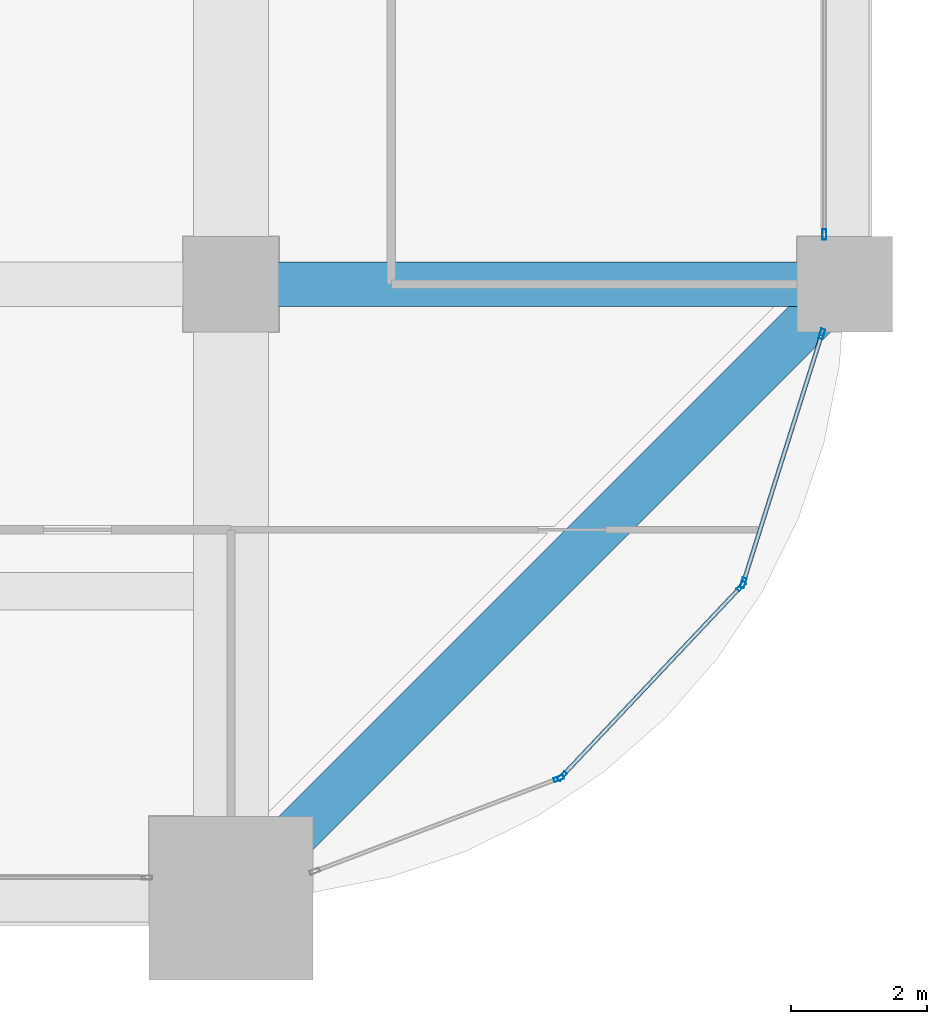
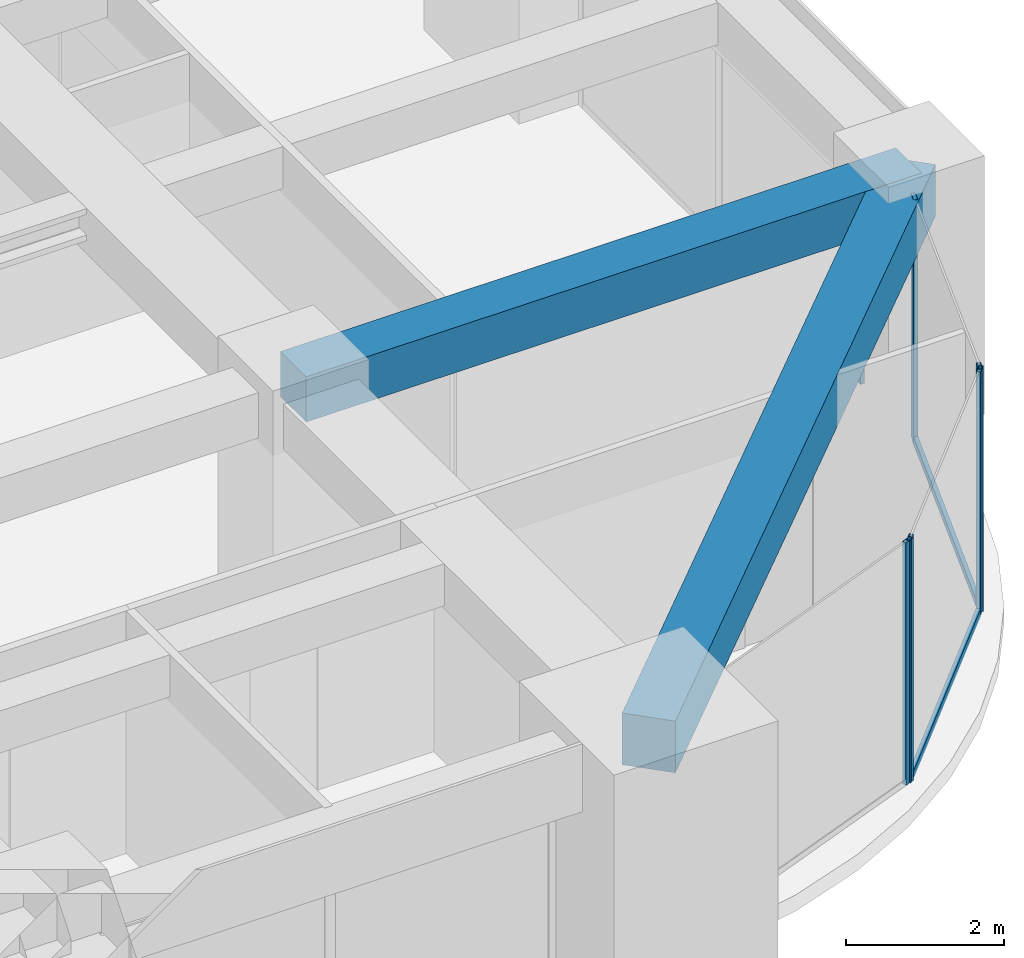
# One storey, part 16 of 33: 8 members, 2 beams, 4 elements without a shape of their own.
"""IFC4 building model written with IfcOpenShell, lengths in metres."""

import ifcopenshell
import ifcopenshell.guid

model = None  # the IFC model being written
_history = None  # IfcOwnerHistory: only IFC2X3 demands one
_inside = {}  # id of a spatial element -> (the spatial element, [elements in it])
_under = {}  # id of a project, library or spatial element -> (it, [spatial elements below it])
_declared = {}  # id of a project -> (the project, [libraries it declares])
_typed = {}  # id of a type object -> (the type object, [elements of that type])
_made_of = {}  # id of a material, layer set ... -> (it, [elements and type objects made of it])


def new_model(schema):
    """Start an empty IFC model of exactly this schema.

    Asked for "IFC4X3", IfcOpenShell would pick the latest addendum, in which some entities
    have other attributes; the version numbers below select the first issue.
    IFC2X3 requires an IfcOwnerHistory on every rooted entity: one is made here for all.
    """
    global model, _history
    if schema == "IFC4X3":
        model = ifcopenshell.file(schema_version=(4, 3, 0, 0))
    else:
        model = ifcopenshell.file(schema=schema)
    _inside.clear()
    _under.clear()
    _declared.clear()
    _typed.clear()
    _made_of.clear()
    _history = None
    if model.schema == "IFC2X3":
        org = make("IfcOrganization", Name="unknown")
        user = make(
            "IfcPersonAndOrganization",
            ThePerson=make("IfcPerson", FamilyName="unknown"),
            TheOrganization=org,
        )
        app = make(
            "IfcApplication",
            ApplicationDeveloper=org,
            Version="unknown",
            ApplicationFullName="unknown",
            ApplicationIdentifier="unknown",
        )
        _history = make(
            "IfcOwnerHistory",
            OwningUser=user,
            OwningApplication=app,
            ChangeAction="ADDED",
            CreationDate=0,
        )
    return model


def make(cls, **values):
    """One entity of the class cls with the attributes given. An attribute that is None is left unset."""
    return model.create_entity(
        cls, **{name: value for name, value in values.items() if value is not None}
    )


def rooted(cls, **values):
    """An entity with a GlobalId (a new one), such as an element, a storey or a relation."""
    return make(cls, GlobalId=ifcopenshell.guid.new(), OwnerHistory=_history, **values)


def si_unit(unit_type, name, prefix=None):
    """IfcSIUnit, for example si_unit("LENGTHUNIT", "METRE", prefix="MILLI")."""
    return make("IfcSIUnit", UnitType=unit_type, Prefix=prefix, Name=name)


def assignment(units):
    """IfcUnitAssignment: the units of a project."""
    return None if units is None else make("IfcUnitAssignment", Units=units)


def point(xyz):
    """IfcCartesianPoint."""
    return None if xyz is None else make("IfcCartesianPoint", Coordinates=xyz)


def direction(xyz):
    """IfcDirection."""
    return None if xyz is None else make("IfcDirection", DirectionRatios=xyz)


def frame(location, z_axis=None, x_axis=None):
    """IfcAxis2Placement3D, a coordinate frame: its origin and axes. An axis left out is left unset."""
    return make(
        "IfcAxis2Placement3D",
        Location=point(location),
        Axis=direction(z_axis),
        RefDirection=direction(x_axis),
    )


def frame_2d(location, x_axis=None):
    """IfcAxis2Placement2D, a coordinate frame in the plane: its origin and x axis."""
    return make(
        "IfcAxis2Placement2D", Location=point(location), RefDirection=direction(x_axis)
    )


def origin():
    """The frame at (0, 0, 0) with its axes left unset."""
    return frame((0.0, 0.0, 0.0))


def origin_2d():
    """The frame at (0, 0) in the plane with its x axis left unset."""
    return frame_2d((0.0, 0.0))


def place(relative_to, where):
    """IfcLocalPlacement: puts the frame where relative to a parent placement (None: the world)."""
    return make(
        "IfcLocalPlacement", PlacementRelTo=relative_to, RelativePlacement=where
    )


def context(
    kind, dimensions, precision=None, world=None, true_north=None, identifier=None
):
    """IfcGeometricRepresentationContext, for example the 3D "Model" context."""
    return make(
        "IfcGeometricRepresentationContext",
        ContextIdentifier=identifier,
        ContextType=kind,
        CoordinateSpaceDimension=dimensions,
        Precision=precision,
        WorldCoordinateSystem=world,
        TrueNorth=true_north,
    )


def subcontext(parent, identifier, kind, view, scale=None):
    """IfcGeometricRepresentationSubContext, for example "Body" below "Model"."""
    return make(
        "IfcGeometricRepresentationSubContext",
        ContextIdentifier=identifier,
        ContextType=kind,
        ParentContext=parent,
        TargetScale=scale,
        TargetView=view,
    )


def project(units=None, contexts=None):
    """IfcProject with its units and contexts."""
    return rooted(
        "IfcProject",
        Name="project",
        RepresentationContexts=contexts,
        UnitsInContext=assignment(units),
    )


def spatial(cls, under=None, at=None, **own):
    """A site, building, storey or space (cls), placed at a placement, below another one or the project."""
    s = rooted(cls, ObjectPlacement=at, **own)
    if under is not None:
        _under.setdefault(under.id(), (under, []))[1].append(s)
    return s


def profile(cls, at=None, kind="AREA", **sizes):
    """A parametric profile (cls). Its sizes go by their IFC names, for example OverallWidth=200.0."""
    return make(cls, ProfileType=kind, Position=at, **sizes)


def rectangle(**sizes):
    """IfcRectangleProfileDef."""
    return profile("IfcRectangleProfileDef", **sizes)


def hollow_rectangle(**sizes):
    """IfcRectangleHollowProfileDef."""
    return profile("IfcRectangleHollowProfileDef", **sizes)


def extrude(swept, where, along, depth):
    """IfcExtrudedAreaSolid: the profile swept, set in the frame where, extruded along a direction by depth."""
    return make(
        "IfcExtrudedAreaSolid",
        SweptArea=swept,
        Position=where,
        ExtrudedDirection=direction(along),
        Depth=depth,
    )


def shape(context_of_items, identifier, shape_type, items):
    """IfcShapeRepresentation: the items that make up one representation, for example the "Body"."""
    return make(
        "IfcShapeRepresentation",
        ContextOfItems=context_of_items,
        RepresentationIdentifier=identifier,
        RepresentationType=shape_type,
        Items=items,
    )


def material(Name=None, Category=None):
    """IfcMaterial."""
    return make("IfcMaterial", Name=Name, Category=Category)


def material_profile(
    of_material, cross_section, Name=None, Category=None, Priority=None
):
    """IfcMaterialProfile: a cross section and its material."""
    return make(
        "IfcMaterialProfile",
        Name=Name,
        Material=of_material,
        Profile=cross_section,
        Priority=Priority,
        Category=Category,
    )


def profile_set(profiles, Name=None, composite=None):
    """IfcMaterialProfileSet."""
    return make(
        "IfcMaterialProfileSet",
        Name=Name,
        MaterialProfiles=profiles,
        CompositeProfile=composite,
    )


def made_of(thing, what):
    """Note that an element or type object is made of a material, layer set ...; save() writes the relation."""
    if what is not None:
        _made_of.setdefault(what.id(), (what, []))[1].append(thing)
    return thing


def type_object(cls, material=None, **own):
    """A type object (cls), such as IfcWallType, which elements share."""
    return made_of(rooted(cls, **own), material)


def element(
    cls,
    number,
    at=None,
    inside=None,
    cuts=None,
    type_object=None,
    material=None,
    context=None,
    identifier="Body",
    shape_type=None,
    held_by="IfcProductDefinitionShape",
    body=None,
    shapes=None,
    **own,
):
    """One element of the class cls, such as IfcWall. Its Tag is "e" and its number.

    at: its placement. inside: the storey or other place that contains it. cuts: it is an
    opening in that element (IfcRelVoidsElement). A single representation is given by context,
    identifier, shape_type and body (its items); several are given by shapes. held_by: the class
    of the entity that holds the representations. save() writes the other relations.
    """
    e = rooted(cls, Tag="e%d" % number, ObjectPlacement=at, **own)
    if body is not None:
        shapes = [shape(context, identifier, shape_type, body)]
    if shapes is not None:
        e.Representation = make(held_by, Representations=shapes)
    if inside is not None:
        _inside.setdefault(inside.id(), (inside, []))[1].append(e)
    if cuts is not None:
        rooted(
            "IfcRelVoidsElement", RelatingBuildingElement=cuts, RelatedOpeningElement=e
        )
    if type_object is not None:
        _typed.setdefault(type_object.id(), (type_object, []))[1].append(e)
    return made_of(e, material)


def aggregate(whole, parts):
    """IfcRelAggregates: a whole, such as a stair, and the parts it consists of."""
    return rooted("IfcRelAggregates", RelatingObject=whole, RelatedObjects=parts)


def save(model, path):
    """Write the relations noted so far, then the file.

    IfcRelAggregates (storeys below a building ...), IfcRelContainedInSpatialStructure (elements
    in a storey), IfcRelDefinesByType, IfcRelAssociatesMaterial and IfcRelDeclares: one each for
    every whole, place, type object, material and project.
    """
    for whole, parts in _under.values():
        aggregate(whole, parts)
    for where, things in _inside.values():
        rooted(
            "IfcRelContainedInSpatialStructure",
            RelatedElements=things,
            RelatingStructure=where,
        )
    for kind, things in _typed.values():
        rooted("IfcRelDefinesByType", RelatedObjects=things, RelatingType=kind)
    for what, things in _made_of.values():
        rooted("IfcRelAssociatesMaterial", RelatedObjects=things, RelatingMaterial=what)
    for by, libraries in _declared.values():
        rooted("IfcRelDeclares", RelatingContext=by, RelatedDefinitions=libraries)
    model.write(path)


model = new_model("IFC4")

# Units and contexts
model_context = context("Model", 3, precision=1e-05, world=origin(), true_north=direction((0.0, 1.0)))
body_context = subcontext(model_context, "Body", "Model", "MODEL_VIEW")
ifc_project = project(units=[si_unit("LENGTHUNIT", "METRE"), si_unit("AREAUNIT", "SQUARE_METRE"), si_unit("VOLUMEUNIT", "CUBIC_METRE"), si_unit("PLANEANGLEUNIT", "RADIAN"), si_unit("MASSUNIT", "GRAM", prefix="KILO")], contexts=[model_context])

# Site, building, storey
site_placement = place(None, origin())
site = spatial("IfcSite", under=ifc_project, at=site_placement, CompositionType="ELEMENT")
building_placement = place(site_placement, origin())
building = spatial("IfcBuilding", under=site, at=building_placement, Name="Zorevar Civic Tower", CompositionType="ELEMENT")
storey_placement = place(building_placement, frame((0.0, 0.0, 210.199951171875)))
storey = spatial("IfcBuildingStorey", under=building, at=storey_placement, Name="L51", CompositionType="ELEMENT", Elevation=210.199951171875)

# Beam
ifc_material_1 = material(Name="Concrete C50/60", Category="concrete")
ifc_material_profile_1 = material_profile(ifc_material_1, rectangle(XDim=0.64990234375, YDim=0.699951171875, at=origin_2d()), Name="RC 650x700")
ifc_profile_set_1 = profile_set([ifc_material_profile_1], Name="Concrete C50/60")
beam_type_1 = type_object("IfcBeamType", Name="Beam RC 650x700", PredefinedType="BEAM", material=ifc_profile_set_1)
beam_1_placement = place(storey_placement, frame((45.0, 9.0, 3.400146484375), z_axis=(1.0, 0.0, 0.0), x_axis=(0.0, 1.0, 0.0)))
element("IfcBeam", 1, at=beam_1_placement, inside=storey, type_object=beam_type_1, Name="Girder L52", PredefinedType="BEAM", context=body_context, shape_type="SweptSolid", body=[
    extrude(rectangle(XDim=0.64990234375, YDim=0.699951171875, at=origin_2d()), origin(), (0.0, 0.0, 1.0), 9.0),
])

# Curtain wall, member
ifc_material_2 = material(Name="Dark grey solar-control glass in black aluminium frame", Category="aluminium")
curtain_wall_type = type_object("IfcCurtainWallType", Name="Curtain wall CW4 high zone", PredefinedType="NOTDEFINED", material=ifc_material_2)
curtain_wall_1_placement = place(storey_placement, origin())
curtain_wall_1 = element("IfcCurtainWall", 2, at=curtain_wall_1_placement, inside=storey, type_object=curtain_wall_type, Name="CW4 L51", PredefinedType="NOTDEFINED")
ifc_material_3 = material(Name="Aluminium, black anodised", Category="aluminium")
ifc_material_profile_2 = material_profile(ifc_material_3, hollow_rectangle(XDim=0.06005859375, YDim=0.14990234375, WallThickness=0.00390625, at=origin_2d()), Name="AL 150x60x4")
ifc_profile_set_2 = profile_set([ifc_material_profile_2], Name="Aluminium, black anodised")
member_type_1 = type_object("IfcMemberType", Name="CW4 mullion AL 150x60x4", PredefinedType="MULLION", material=ifc_profile_set_2)
member_1_placement = place(storey_placement, frame((53.699951171875, 9.72998046875, 0.0), z_axis=(0.0, 0.0, 1.0), x_axis=(-1.0, 0.0, 0.0)))
member_1 = element("IfcMember", 3, at=member_1_placement, type_object=member_type_1, Name="CW4 mullion 1", PredefinedType="MULLION", context=body_context, shape_type="SweptSolid", body=[
    extrude(hollow_rectangle(XDim=0.06005859375, YDim=0.14990234375, WallThickness=0.00390625, at=origin_2d()), origin(), (0.0, 0.0, 1.0), 2.949951171875),
])
aggregate(curtain_wall_1, [member_1])

curtain_wall_2_placement = place(storey_placement, origin())
curtain_wall_2 = element("IfcCurtainWall", 4, at=curtain_wall_2_placement, inside=storey, type_object=curtain_wall_type, Name="CW4 L51", PredefinedType="NOTDEFINED")
member_2_placement = place(storey_placement, frame((49.804931640625, 1.75537109375, 0.0), z_axis=(0.0, 0.0, 1.0), x_axis=(-0.355730895803, 0.93458842801, 0.0)))
member_2 = element("IfcMember", 5, at=member_2_placement, type_object=member_type_1, Name="CW4 mullion 2", PredefinedType="MULLION", context=body_context, shape_type="SweptSolid", body=[
    extrude(hollow_rectangle(XDim=0.06005859375, YDim=0.14990234375, WallThickness=0.00390625, at=origin_2d()), origin(), (0.0, 0.0, 1.0), 3.75),
])
aggregate(curtain_wall_2, [member_2])

# Curtain wall, members
curtain_wall_3_placement = place(storey_placement, origin())
curtain_wall_3 = element("IfcCurtainWall", 6, at=curtain_wall_3_placement, inside=storey, type_object=curtain_wall_type, Name="CW4 L51", PredefinedType="NOTDEFINED")
member_3_placement = place(storey_placement, frame((49.853759765625, 1.787841796875, 0.0), z_axis=(0.0, 0.0, 1.0), x_axis=(-0.727245053898, 0.686377907265, 0.0)))
member_3 = element("IfcMember", 7, at=member_3_placement, type_object=member_type_1, Name="CW4 mullion 1", PredefinedType="MULLION", context=body_context, shape_type="SweptSolid", body=[
    extrude(hollow_rectangle(XDim=0.06005859375, YDim=0.14990234375, WallThickness=0.00390625, at=origin_2d()), origin(), (0.0, 0.0, 1.0), 3.75),
])
member_4_placement = place(storey_placement, frame((52.480712890625, 4.5712890625, 0.0), z_axis=(0.0, 0.0, 1.0), x_axis=(-0.727245053898, 0.686377907265, 0.0)))
member_4 = element("IfcMember", 8, at=member_4_placement, type_object=member_type_1, Name="CW4 mullion 2", PredefinedType="MULLION", context=body_context, shape_type="SweptSolid", body=[
    extrude(hollow_rectangle(XDim=0.06005859375, YDim=0.14990234375, WallThickness=0.00390625, at=origin_2d()), origin(), (0.0, 0.0, 1.0), 3.75),
])

curtain_wall_4_placement = place(storey_placement, origin())
curtain_wall_4 = element("IfcCurtainWall", 9, at=curtain_wall_4_placement, inside=storey, type_object=curtain_wall_type, Name="CW4 L51", PredefinedType="NOTDEFINED")
member_5_placement = place(storey_placement, frame((52.51025390625, 4.62158203125, 0.0), z_axis=(0.0, 0.0, 1.0), x_axis=(-0.953589950678, 0.301108296077, 0.0)))
member_5 = element("IfcMember", 10, at=member_5_placement, type_object=member_type_1, Name="CW4 mullion 1", PredefinedType="MULLION", context=body_context, shape_type="SweptSolid", body=[
    extrude(hollow_rectangle(XDim=0.06005859375, YDim=0.14990234375, WallThickness=0.00390625, at=origin_2d()), origin(), (0.0, 0.0, 1.0), 3.75),
])
member_6_placement = place(storey_placement, frame((53.66259765625, 8.271484375, 0.0), z_axis=(0.0, 0.0, 1.0), x_axis=(-0.953589950678, 0.301108296077, 0.0)))
member_6 = element("IfcMember", 11, at=member_6_placement, type_object=member_type_1, Name="CW4 mullion 2", PredefinedType="MULLION", context=body_context, shape_type="SweptSolid", body=[
    extrude(hollow_rectangle(XDim=0.06005859375, YDim=0.14990234375, WallThickness=0.00390625, at=origin_2d()), origin(), (0.0, 0.0, 1.0), 3.75),
])

# Member
ifc_material_4 = material(Name="Aluminium, black anodised", Category="aluminium")
ifc_material_profile_3 = material_profile(ifc_material_4, hollow_rectangle(XDim=0.06005859375, YDim=0.1201171875, WallThickness=0.0029296875, at=origin_2d()), Name="AL 120x60x3")
ifc_profile_set_3 = profile_set([ifc_material_profile_3], Name="Aluminium, black anodised")
member_type_2 = type_object("IfcMemberType", Name="CW4 transom AL 120x60x3", PredefinedType="USERDEFINED", material=ifc_profile_set_3)
member_7_placement = place(storey_placement, frame((49.874267578125, 1.8095703125, 0.030029296875), z_axis=(0.686332338526, 0.727288059227, 0.0), x_axis=(-0.727288059227, 0.686332338526, 0.0)))
member_7 = element("IfcMember", 12, at=member_7_placement, type_object=member_type_2, Name="CW4 sill transom", ObjectType="TRANSOM", PredefinedType="USERDEFINED", context=body_context, shape_type="SweptSolid", body=[
    extrude(hollow_rectangle(XDim=0.06005859375, YDim=0.1201171875, WallThickness=0.0029296875, at=origin_2d()), origin(), (0.0, 0.0, 1.0), 3.767333984375),
])

aggregate(curtain_wall_3, [member_3, member_4, member_7])

member_8_placement = place(storey_placement, frame((52.519287109375, 4.650390625, 0.030029296875), z_axis=(0.301100351109, 0.953592459367, 0.0), x_axis=(-0.953592459367, 0.301100351109, 0.0)))
member_8 = element("IfcMember", 13, at=member_8_placement, type_object=member_type_2, Name="CW4 sill transom", ObjectType="TRANSOM", PredefinedType="USERDEFINED", context=body_context, shape_type="SweptSolid", body=[
    extrude(hollow_rectangle(XDim=0.06005859375, YDim=0.1201171875, WallThickness=0.0029296875, at=origin_2d()), origin(), (0.0, 0.0, 1.0), 3.76708984375),
])

aggregate(curtain_wall_4, [member_5, member_6, member_8])

# Beam
ifc_material_5 = material(Name="Concrete C50/60", Category="concrete")
ifc_material_profile_4 = material_profile(ifc_material_5, rectangle(XDim=0.699951171875, YDim=0.800048828125, at=origin_2d()), Name="RC 700x800")
ifc_profile_set_4 = profile_set([ifc_material_profile_4], Name="Concrete C50/60")
beam_type_2 = type_object("IfcBeamType", Name="Edge beam RC 700x800", PredefinedType="SPANDREL", material=ifc_profile_set_4)
beam_2_placement = place(storey_placement, frame((45.0, 0.0, 3.35009765625), z_axis=(0.707106781187, 0.707106781187, 0.0), x_axis=(-0.707106781187, 0.707106781187, 0.0)))
element("IfcBeam", 14, at=beam_2_placement, inside=storey, type_object=beam_type_2, Name="Corner edge beam L52", PredefinedType="SPANDREL", context=body_context, shape_type="SweptSolid", body=[
    extrude(rectangle(XDim=0.699951171875, YDim=0.800048828125, at=origin_2d()), origin(), (0.0, 0.0, 1.0), 12.72802734375),
])

save(model, "model.ifc")
